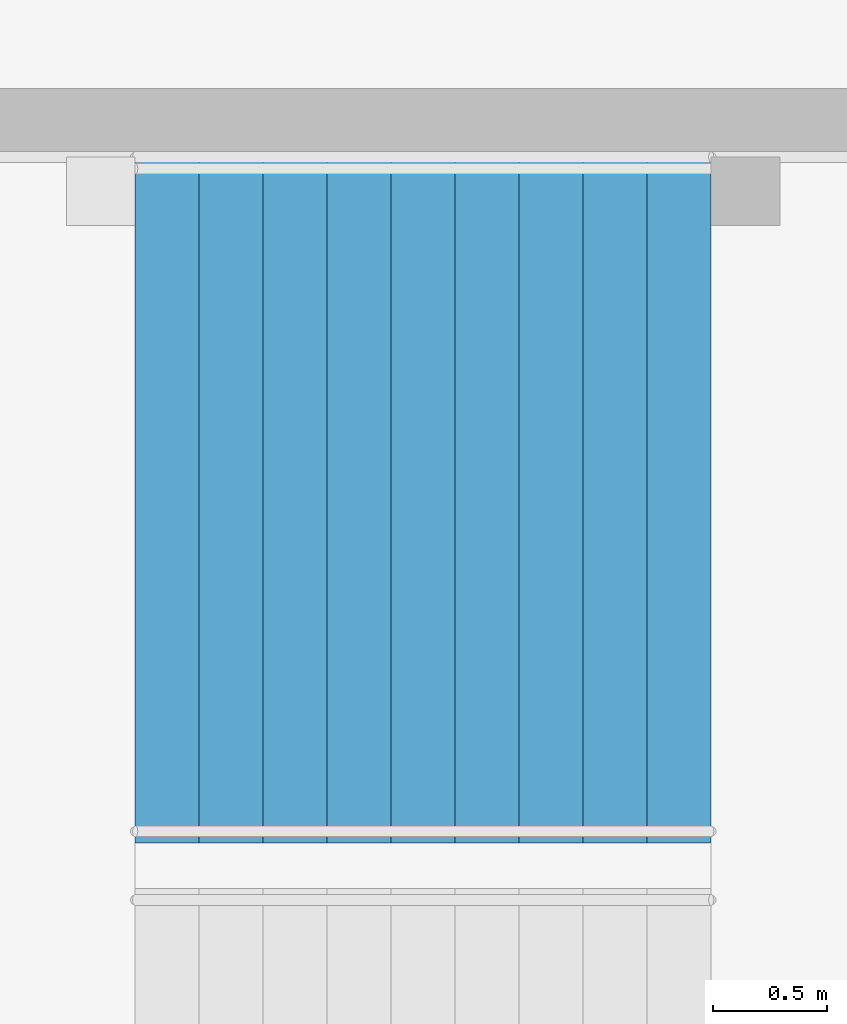
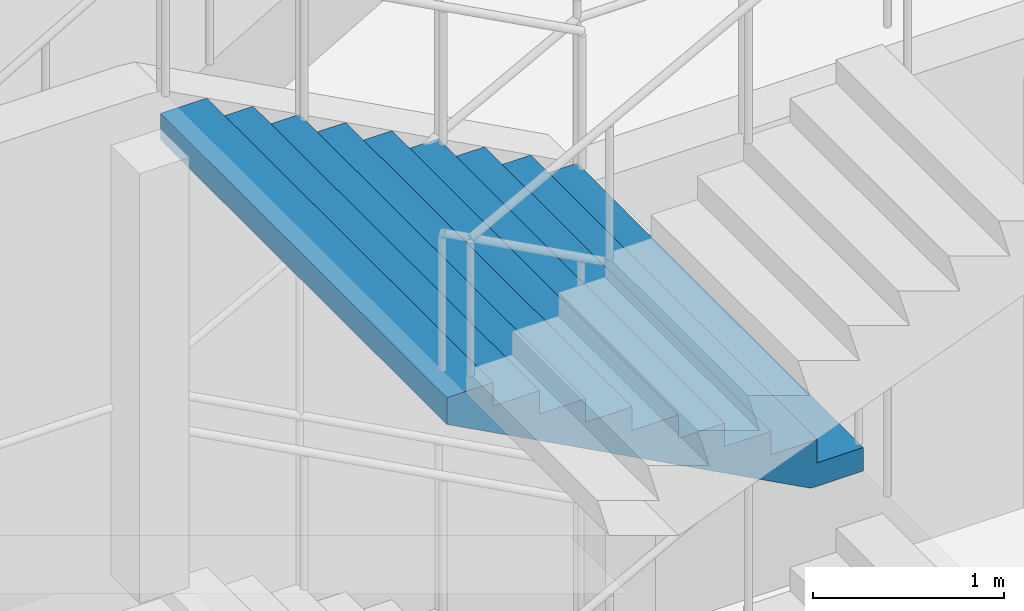
# One storey, part 83 of 100: 1 stair flight, 1 element without a shape of its own.
"""IFC4 building model written with IfcOpenShell, lengths in metres."""

from ifc_helpers import new_model, si_unit, direction, frame, origin, place, context, subcontext, project, spatial, triangles, material, type_object, element, aggregate, save


model = new_model("IFC4")

# Units and contexts
model_context = context("Model", 3, precision=1e-05, world=origin(), true_north=direction((0.0, 1.0)))
body_context = subcontext(model_context, "Body", "Model", "MODEL_VIEW")
ifc_project = project(units=[si_unit("LENGTHUNIT", "METRE"), si_unit("AREAUNIT", "SQUARE_METRE"), si_unit("VOLUMEUNIT", "CUBIC_METRE"), si_unit("PLANEANGLEUNIT", "RADIAN"), si_unit("MASSUNIT", "GRAM", prefix="KILO")], contexts=[model_context])

# Site, building, storey
site_placement = place(None, origin())
site = spatial("IfcSite", under=ifc_project, at=site_placement, CompositionType="ELEMENT")
building_placement = place(site_placement, origin())
building = spatial("IfcBuilding", under=site, at=building_placement, Name="Hakoniwa Tower and Hamabe Station Hall", CompositionType="ELEMENT")
storey_placement = place(building_placement, frame((0.0, 0.0, 9.0)))
storey = spatial("IfcBuildingStorey", under=building, at=storey_placement, Name="L02", CompositionType="ELEMENT", Elevation=9.0)

# Stair, stair flight
ifc_material_1 = material(Name="Concrete C40", Category="concrete")
stair_type = type_object("IfcStairType", Name="STAIR 3000 10X150", PredefinedType="HALF_TURN_STAIR", material=ifc_material_1)
stair_placement = place(storey_placement, origin())
stair = element("IfcStair", 1, at=stair_placement, inside=storey, type_object=stair_type, Name="Platform stair 1 L02-L03", PredefinedType="HALF_TURN_STAIR")
ifc_material_2 = material(Name="Concrete C40", Category="concrete")
stair_flight_type = type_object("IfcStairFlightType", Name="STAIR FLIGHT 3000", PredefinedType="STRAIGHT", material=ifc_material_2)
stair_flight_placement = place(storey_placement, frame((151.070068359375, -2.300048828125, 3.0), z_axis=(0.0, 0.0, 1.0), x_axis=(-1.0, 0.0, 0.0)))
stair_flight = element("IfcStairFlight", 2, at=stair_flight_placement, type_object=stair_flight_type, Name="PA1 flight 3", NumberOfRisers=10, NumberOfTreads=9, PredefinedType="STRAIGHT", RiserHeight=0.15, TreadLength=0.28, context=body_context, shape_type="Tessellation", body=[
    triangles([(0.0, 1.5, 0.0), (0.280029296875, 1.5, 0.0), (0.3173828125, 1.5, 0.0), (0.56005859375, 1.5, 0.1298828125), (0.840087890625, 1.5, 0.280029296875), (1.1201171875, 1.5, 0.429931640625), (1.39990234375, 1.5, 0.579833984375), (1.679931640625, 1.5, 0.72998046875), (1.9599609375, 1.5, 0.8798828125), (2.239990234375, 1.5, 1.030029296875), (2.52001953125, 1.5, 1.179931640625), (2.52001953125, 1.5, 1.35009765625), (2.239990234375, 1.5, 1.35009765625), (2.239990234375, 1.5, 1.199951171875), (1.9599609375, 1.5, 1.199951171875), (1.9599609375, 1.5, 1.050048828125), (1.679931640625, 1.5, 1.050048828125), (1.679931640625, 1.5, 0.89990234375), (1.39990234375, 1.5, 0.89990234375), (1.39990234375, 1.5, 0.75), (1.1201171875, 1.5, 0.75), (1.1201171875, 1.5, 0.60009765625), (0.840087890625, 1.5, 0.60009765625), (0.840087890625, 1.5, 0.449951171875), (0.56005859375, 1.5, 0.449951171875), (0.56005859375, 1.5, 0.300048828125), (0.3173828125, 1.5, 0.300048828125), (0.280029296875, 1.5, 0.300048828125), (0.280029296875, 1.5, 0.14990234375), (0.0, 1.5, 0.14990234375), (0.0, 0.06005859375, 0.0), (0.280029296875, 0.06005859375, 0.0), (0.3173828125, 0.06005859375, 0.0), (0.56005859375, 0.06005859375, 0.1298828125), (0.840087890625, 0.06005859375, 0.280029296875), (1.1201171875, 0.06005859375, 0.429931640625), (1.39990234375, 0.06005859375, 0.579833984375), (1.679931640625, 0.06005859375, 0.72998046875), (1.9599609375, 0.06005859375, 0.8798828125), (2.239990234375, 0.06005859375, 1.030029296875), (2.52001953125, 0.06005859375, 1.179931640625), (2.52001953125, 0.06005859375, 1.35009765625), (2.239990234375, 0.06005859375, 1.35009765625), (2.239990234375, 0.06005859375, 1.199951171875), (1.9599609375, 0.06005859375, 1.199951171875), (1.9599609375, 0.06005859375, 1.050048828125), (1.679931640625, 0.06005859375, 1.050048828125), (1.679931640625, 0.06005859375, 0.89990234375), (1.39990234375, 0.06005859375, 0.89990234375), (1.39990234375, 0.06005859375, 0.75), (1.1201171875, 0.06005859375, 0.75), (1.1201171875, 0.06005859375, 0.60009765625), (0.840087890625, 0.06005859375, 0.60009765625), (0.840087890625, 0.06005859375, 0.449951171875), (0.56005859375, 0.06005859375, 0.449951171875), (0.56005859375, 0.06005859375, 0.300048828125), (0.3173828125, 0.06005859375, 0.300048828125), (0.280029296875, 0.06005859375, 0.300048828125), (0.280029296875, 0.06005859375, 0.14990234375), (0.0, 0.06005859375, 0.14990234375), (0.0, 0.049072265625, 0.0), (0.280029296875, 0.049072265625, 0.0), (0.3173828125, 0.049072265625, 0.0), (0.56005859375, 0.049072265625, 0.1298828125), (0.840087890625, 0.049072265625, 0.280029296875), (1.1201171875, 0.049072265625, 0.429931640625), (1.39990234375, 0.049072265625, 0.579833984375), (1.679931640625, 0.049072265625, 0.72998046875), (1.9599609375, 0.049072265625, 0.8798828125), (2.239990234375, 0.049072265625, 1.030029296875), (2.52001953125, 0.049072265625, 1.179931640625), (2.52001953125, 0.049072265625, 1.35009765625), (2.239990234375, 0.049072265625, 1.35009765625), (2.239990234375, 0.049072265625, 1.199951171875), (1.9599609375, 0.049072265625, 1.199951171875), (1.9599609375, 0.049072265625, 1.050048828125), (1.679931640625, 0.049072265625, 1.050048828125), (1.679931640625, 0.049072265625, 0.89990234375), (1.39990234375, 0.049072265625, 0.89990234375), (1.39990234375, 0.049072265625, 0.75), (1.1201171875, 0.049072265625, 0.75), (1.1201171875, 0.049072265625, 0.60009765625), (0.840087890625, 0.049072265625, 0.60009765625), (0.840087890625, 0.049072265625, 0.449951171875), (0.56005859375, 0.049072265625, 0.449951171875), (0.56005859375, 0.049072265625, 0.300048828125), (0.3173828125, 0.049072265625, 0.300048828125), (0.280029296875, 0.049072265625, 0.300048828125), (0.280029296875, 0.049072265625, 0.14990234375), (0.0, 0.049072265625, 0.14990234375), (0.0, 0.0380859375, 0.0), (0.280029296875, 0.0380859375, 0.0), (0.3173828125, 0.0380859375, 0.0), (0.56005859375, 0.0380859375, 0.1298828125), (0.840087890625, 0.0380859375, 0.280029296875), (1.1201171875, 0.0380859375, 0.429931640625), (1.39990234375, 0.0380859375, 0.579833984375), (1.679931640625, 0.0380859375, 0.72998046875), (1.9599609375, 0.0380859375, 0.8798828125), (2.239990234375, 0.0380859375, 1.030029296875), (2.52001953125, 0.0380859375, 1.179931640625), (2.52001953125, 0.0380859375, 1.35009765625), (2.239990234375, 0.0380859375, 1.35009765625), (2.239990234375, 0.0380859375, 1.199951171875), (1.9599609375, 0.0380859375, 1.199951171875), (1.9599609375, 0.0380859375, 1.050048828125), (1.679931640625, 0.0380859375, 1.050048828125), (1.679931640625, 0.0380859375, 0.89990234375), (1.39990234375, 0.0380859375, 0.89990234375), (1.39990234375, 0.0380859375, 0.75), (1.1201171875, 0.0380859375, 0.75), (1.1201171875, 0.0380859375, 0.60009765625), (0.840087890625, 0.0380859375, 0.60009765625), (0.840087890625, 0.0380859375, 0.449951171875), (0.56005859375, 0.0380859375, 0.449951171875), (0.56005859375, 0.0380859375, 0.300048828125), (0.3173828125, 0.0380859375, 0.300048828125), (0.280029296875, 0.0380859375, 0.300048828125), (0.280029296875, 0.0380859375, 0.14990234375), (0.0, 0.0380859375, 0.14990234375), (0.0, 0.02734375, 0.0), (0.280029296875, 0.02734375, 0.0), (0.3173828125, 0.02734375, 0.0), (0.56005859375, 0.02734375, 0.1298828125), (0.840087890625, 0.02734375, 0.280029296875), (1.1201171875, 0.02734375, 0.429931640625), (1.39990234375, 0.02734375, 0.579833984375), (1.679931640625, 0.02734375, 0.72998046875), (1.9599609375, 0.02734375, 0.8798828125), (2.239990234375, 0.02734375, 1.030029296875), (2.52001953125, 0.02734375, 1.179931640625), (2.52001953125, 0.02734375, 1.35009765625), (2.239990234375, 0.02734375, 1.35009765625), (2.239990234375, 0.02734375, 1.199951171875), (1.9599609375, 0.02734375, 1.199951171875), (1.9599609375, 0.02734375, 1.050048828125), (1.679931640625, 0.02734375, 1.050048828125), (1.679931640625, 0.02734375, 0.89990234375), (1.39990234375, 0.02734375, 0.89990234375), (1.39990234375, 0.02734375, 0.75), (1.1201171875, 0.02734375, 0.75), (1.1201171875, 0.02734375, 0.60009765625), (0.840087890625, 0.02734375, 0.60009765625), (0.840087890625, 0.02734375, 0.449951171875), (0.56005859375, 0.02734375, 0.449951171875), (0.56005859375, 0.02734375, 0.300048828125), (0.3173828125, 0.02734375, 0.300048828125), (0.280029296875, 0.02734375, 0.300048828125), (0.280029296875, 0.02734375, 0.14990234375), (0.0, 0.02734375, 0.14990234375), (0.0, 0.016357421875, 0.0), (0.280029296875, 0.016357421875, 0.0), (0.3173828125, 0.016357421875, 0.0), (0.56005859375, 0.016357421875, 0.1298828125), (0.840087890625, 0.016357421875, 0.280029296875), (1.1201171875, 0.016357421875, 0.429931640625), (1.39990234375, 0.016357421875, 0.579833984375), (1.679931640625, 0.016357421875, 0.72998046875), (1.9599609375, 0.016357421875, 0.8798828125), (2.239990234375, 0.016357421875, 1.030029296875), (2.52001953125, 0.016357421875, 1.179931640625), (2.52001953125, 0.016357421875, 1.35009765625), (2.239990234375, 0.016357421875, 1.35009765625), (2.239990234375, 0.016357421875, 1.199951171875), (1.9599609375, 0.016357421875, 1.199951171875), (1.9599609375, 0.016357421875, 1.050048828125), (1.679931640625, 0.016357421875, 1.050048828125), (1.679931640625, 0.016357421875, 0.89990234375), (1.39990234375, 0.016357421875, 0.89990234375), (1.39990234375, 0.016357421875, 0.75), (1.1201171875, 0.016357421875, 0.75), (1.1201171875, 0.016357421875, 0.60009765625), (0.840087890625, 0.016357421875, 0.60009765625), (0.840087890625, 0.016357421875, 0.449951171875), (0.56005859375, 0.016357421875, 0.449951171875), (0.56005859375, 0.016357421875, 0.300048828125), (0.3173828125, 0.016357421875, 0.300048828125), (0.280029296875, 0.016357421875, 0.300048828125), (0.280029296875, 0.016357421875, 0.14990234375), (0.0, 0.016357421875, 0.14990234375), (0.0, 0.00537109375, 0.0), (0.280029296875, 0.00537109375, 0.0), (0.3173828125, 0.00537109375, 0.0), (0.56005859375, 0.00537109375, 0.1298828125), (0.840087890625, 0.00537109375, 0.280029296875), (1.1201171875, 0.00537109375, 0.429931640625), (1.39990234375, 0.00537109375, 0.579833984375), (1.679931640625, 0.00537109375, 0.72998046875), (1.9599609375, 0.00537109375, 0.8798828125), (2.239990234375, 0.00537109375, 1.030029296875), (2.52001953125, 0.00537109375, 1.179931640625), (2.52001953125, 0.00537109375, 1.35009765625), (2.239990234375, 0.00537109375, 1.35009765625), (2.239990234375, 0.00537109375, 1.199951171875), (1.9599609375, 0.00537109375, 1.199951171875), (1.9599609375, 0.00537109375, 1.050048828125), (1.679931640625, 0.00537109375, 1.050048828125), (1.679931640625, 0.00537109375, 0.89990234375), (1.39990234375, 0.00537109375, 0.89990234375), (1.39990234375, 0.00537109375, 0.75), (1.1201171875, 0.00537109375, 0.75), (1.1201171875, 0.00537109375, 0.60009765625), (0.840087890625, 0.00537109375, 0.60009765625), (0.840087890625, 0.00537109375, 0.449951171875), (0.56005859375, 0.00537109375, 0.449951171875), (0.56005859375, 0.00537109375, 0.300048828125), (0.3173828125, 0.00537109375, 0.300048828125), (0.280029296875, 0.00537109375, 0.300048828125), (0.280029296875, 0.00537109375, 0.14990234375), (0.0, 0.00537109375, 0.14990234375), (0.0, -0.00537109375, 0.0), (0.280029296875, -0.00537109375, 0.0), (0.3173828125, -0.00537109375, 0.0), (0.56005859375, -0.00537109375, 0.1298828125), (0.840087890625, -0.00537109375, 0.280029296875), (1.1201171875, -0.00537109375, 0.429931640625), (1.39990234375, -0.00537109375, 0.579833984375), (1.679931640625, -0.00537109375, 0.72998046875), (1.9599609375, -0.00537109375, 0.8798828125), (2.239990234375, -0.00537109375, 1.030029296875), (2.52001953125, -0.00537109375, 1.179931640625), (2.52001953125, -0.00537109375, 1.35009765625), (2.239990234375, -0.00537109375, 1.35009765625), (2.239990234375, -0.00537109375, 1.199951171875), (1.9599609375, -0.00537109375, 1.199951171875), (1.9599609375, -0.00537109375, 1.050048828125), (1.679931640625, -0.00537109375, 1.050048828125), (1.679931640625, -0.00537109375, 0.89990234375), (1.39990234375, -0.00537109375, 0.89990234375), (1.39990234375, -0.00537109375, 0.75), (1.1201171875, -0.00537109375, 0.75), (1.1201171875, -0.00537109375, 0.60009765625), (0.840087890625, -0.00537109375, 0.60009765625), (0.840087890625, -0.00537109375, 0.449951171875), (0.56005859375, -0.00537109375, 0.449951171875), (0.56005859375, -0.00537109375, 0.300048828125), (0.3173828125, -0.00537109375, 0.300048828125), (0.280029296875, -0.00537109375, 0.300048828125), (0.280029296875, -0.00537109375, 0.14990234375), (0.0, -0.00537109375, 0.14990234375), (0.0, -0.016357421875, 0.0), (0.280029296875, -0.016357421875, 0.0), (0.3173828125, -0.016357421875, 0.0), (0.56005859375, -0.016357421875, 0.1298828125), (0.840087890625, -0.016357421875, 0.280029296875), (1.1201171875, -0.016357421875, 0.429931640625), (1.39990234375, -0.016357421875, 0.579833984375), (1.679931640625, -0.016357421875, 0.72998046875), (1.9599609375, -0.016357421875, 0.8798828125), (2.239990234375, -0.016357421875, 1.030029296875), (2.52001953125, -0.016357421875, 1.179931640625), (2.52001953125, -0.016357421875, 1.35009765625), (2.239990234375, -0.016357421875, 1.35009765625), (2.239990234375, -0.016357421875, 1.199951171875), (1.9599609375, -0.016357421875, 1.199951171875), (1.9599609375, -0.016357421875, 1.050048828125), (1.679931640625, -0.016357421875, 1.050048828125), (1.679931640625, -0.016357421875, 0.89990234375), (1.39990234375, -0.016357421875, 0.89990234375), (1.39990234375, -0.016357421875, 0.75), (1.1201171875, -0.016357421875, 0.75), (1.1201171875, -0.016357421875, 0.60009765625), (0.840087890625, -0.016357421875, 0.60009765625), (0.840087890625, -0.016357421875, 0.449951171875), (0.56005859375, -0.016357421875, 0.449951171875), (0.56005859375, -0.016357421875, 0.300048828125), (0.3173828125, -0.016357421875, 0.300048828125), (0.280029296875, -0.016357421875, 0.300048828125), (0.280029296875, -0.016357421875, 0.14990234375), (0.0, -0.016357421875, 0.14990234375), (0.0, -0.02734375, 0.0), (0.280029296875, -0.02734375, 0.0), (0.3173828125, -0.02734375, 0.0), (0.56005859375, -0.02734375, 0.1298828125), (0.840087890625, -0.02734375, 0.280029296875), (1.1201171875, -0.02734375, 0.429931640625), (1.39990234375, -0.02734375, 0.579833984375), (1.679931640625, -0.02734375, 0.72998046875), (1.9599609375, -0.02734375, 0.8798828125), (2.239990234375, -0.02734375, 1.030029296875), (2.52001953125, -0.02734375, 1.179931640625), (2.52001953125, -0.02734375, 1.35009765625), (2.239990234375, -0.02734375, 1.35009765625), (2.239990234375, -0.02734375, 1.199951171875), (1.9599609375, -0.02734375, 1.199951171875), (1.9599609375, -0.02734375, 1.050048828125), (1.679931640625, -0.02734375, 1.050048828125), (1.679931640625, -0.02734375, 0.89990234375), (1.39990234375, -0.02734375, 0.89990234375), (1.39990234375, -0.02734375, 0.75), (1.1201171875, -0.02734375, 0.75), (1.1201171875, -0.02734375, 0.60009765625), (0.840087890625, -0.02734375, 0.60009765625), (0.840087890625, -0.02734375, 0.449951171875), (0.56005859375, -0.02734375, 0.449951171875), (0.56005859375, -0.02734375, 0.300048828125), (0.3173828125, -0.02734375, 0.300048828125), (0.280029296875, -0.02734375, 0.300048828125), (0.280029296875, -0.02734375, 0.14990234375), (0.0, -0.02734375, 0.14990234375), (0.0, -0.0380859375, 0.0), (0.280029296875, -0.0380859375, 0.0), (0.3173828125, -0.0380859375, 0.0), (0.56005859375, -0.0380859375, 0.1298828125), (0.840087890625, -0.0380859375, 0.280029296875), (1.1201171875, -0.0380859375, 0.429931640625), (1.39990234375, -0.0380859375, 0.579833984375), (1.679931640625, -0.0380859375, 0.72998046875), (1.9599609375, -0.0380859375, 0.8798828125), (2.239990234375, -0.0380859375, 1.030029296875), (2.52001953125, -0.0380859375, 1.179931640625), (2.52001953125, -0.0380859375, 1.35009765625), (2.239990234375, -0.0380859375, 1.35009765625), (2.239990234375, -0.0380859375, 1.199951171875), (1.9599609375, -0.0380859375, 1.199951171875), (1.9599609375, -0.0380859375, 1.050048828125), (1.679931640625, -0.0380859375, 1.050048828125), (1.679931640625, -0.0380859375, 0.89990234375), (1.39990234375, -0.0380859375, 0.89990234375), (1.39990234375, -0.0380859375, 0.75), (1.1201171875, -0.0380859375, 0.75), (1.1201171875, -0.0380859375, 0.60009765625), (0.840087890625, -0.0380859375, 0.60009765625), (0.840087890625, -0.0380859375, 0.449951171875), (0.56005859375, -0.0380859375, 0.449951171875), (0.56005859375, -0.0380859375, 0.300048828125), (0.3173828125, -0.0380859375, 0.300048828125), (0.280029296875, -0.0380859375, 0.300048828125), (0.280029296875, -0.0380859375, 0.14990234375), (0.0, -0.0380859375, 0.14990234375), (0.0, -0.049072265625, 0.0), (0.280029296875, -0.049072265625, 0.0), (0.3173828125, -0.049072265625, 0.0), (0.56005859375, -0.049072265625, 0.1298828125), (0.840087890625, -0.049072265625, 0.280029296875), (1.1201171875, -0.049072265625, 0.429931640625), (1.39990234375, -0.049072265625, 0.579833984375), (1.679931640625, -0.049072265625, 0.72998046875), (1.9599609375, -0.049072265625, 0.8798828125), (2.239990234375, -0.049072265625, 1.030029296875), (2.52001953125, -0.049072265625, 1.179931640625), (2.52001953125, -0.049072265625, 1.35009765625), (2.239990234375, -0.049072265625, 1.35009765625), (2.239990234375, -0.049072265625, 1.199951171875), (1.9599609375, -0.049072265625, 1.199951171875), (1.9599609375, -0.049072265625, 1.050048828125), (1.679931640625, -0.049072265625, 1.050048828125), (1.679931640625, -0.049072265625, 0.89990234375), (1.39990234375, -0.049072265625, 0.89990234375), (1.39990234375, -0.049072265625, 0.75), (1.1201171875, -0.049072265625, 0.75), (1.1201171875, -0.049072265625, 0.60009765625), (0.840087890625, -0.049072265625, 0.60009765625), (0.840087890625, -0.049072265625, 0.449951171875), (0.56005859375, -0.049072265625, 0.449951171875), (0.56005859375, -0.049072265625, 0.300048828125), (0.3173828125, -0.049072265625, 0.300048828125), (0.280029296875, -0.049072265625, 0.300048828125), (0.280029296875, -0.049072265625, 0.14990234375), (0.0, -0.049072265625, 0.14990234375), (0.0, -0.06005859375, 0.0), (0.280029296875, -0.06005859375, 0.0), (0.3173828125, -0.06005859375, 0.0), (0.56005859375, -0.06005859375, 0.1298828125), (0.840087890625, -0.06005859375, 0.280029296875), (1.1201171875, -0.06005859375, 0.429931640625), (1.39990234375, -0.06005859375, 0.579833984375), (1.679931640625, -0.06005859375, 0.72998046875), (1.9599609375, -0.06005859375, 0.8798828125), (2.239990234375, -0.06005859375, 1.030029296875), (2.52001953125, -0.06005859375, 1.179931640625), (2.52001953125, -0.06005859375, 1.35009765625), (2.239990234375, -0.06005859375, 1.35009765625), (2.239990234375, -0.06005859375, 1.199951171875), (1.9599609375, -0.06005859375, 1.199951171875), (1.9599609375, -0.06005859375, 1.050048828125), (1.679931640625, -0.06005859375, 1.050048828125), (1.679931640625, -0.06005859375, 0.89990234375), (1.39990234375, -0.06005859375, 0.89990234375), (1.39990234375, -0.06005859375, 0.75), (1.1201171875, -0.06005859375, 0.75), (1.1201171875, -0.06005859375, 0.60009765625), (0.840087890625, -0.06005859375, 0.60009765625), (0.840087890625, -0.06005859375, 0.449951171875), (0.56005859375, -0.06005859375, 0.449951171875), (0.56005859375, -0.06005859375, 0.300048828125), (0.3173828125, -0.06005859375, 0.300048828125), (0.280029296875, -0.06005859375, 0.300048828125), (0.280029296875, -0.06005859375, 0.14990234375), (0.0, -0.06005859375, 0.14990234375), (0.0, -1.5, 0.0), (0.280029296875, -1.5, 0.0), (0.3173828125, -1.5, 0.0), (0.56005859375, -1.5, 0.1298828125), (0.840087890625, -1.5, 0.280029296875), (1.1201171875, -1.5, 0.429931640625), (1.39990234375, -1.5, 0.579833984375), (1.679931640625, -1.5, 0.72998046875), (1.9599609375, -1.5, 0.8798828125), (2.239990234375, -1.5, 1.030029296875), (2.52001953125, -1.5, 1.179931640625), (2.52001953125, -1.5, 1.35009765625), (2.239990234375, -1.5, 1.35009765625), (2.239990234375, -1.5, 1.199951171875), (1.9599609375, -1.5, 1.199951171875), (1.9599609375, -1.5, 1.050048828125), (1.679931640625, -1.5, 1.050048828125), (1.679931640625, -1.5, 0.89990234375), (1.39990234375, -1.5, 0.89990234375), (1.39990234375, -1.5, 0.75), (1.1201171875, -1.5, 0.75), (1.1201171875, -1.5, 0.60009765625), (0.840087890625, -1.5, 0.60009765625), (0.840087890625, -1.5, 0.449951171875), (0.56005859375, -1.5, 0.449951171875), (0.56005859375, -1.5, 0.300048828125), (0.3173828125, -1.5, 0.300048828125), (0.280029296875, -1.5, 0.300048828125), (0.280029296875, -1.5, 0.14990234375), (0.0, -1.5, 0.14990234375)], [[2, 30, 29], [392, 419, 420], [2, 1, 30], [392, 420, 391], [3, 28, 27], [393, 417, 418], [3, 29, 28], [393, 418, 419], [3, 2, 29], [393, 419, 392], [4, 27, 26], [394, 416, 417], [4, 3, 27], [394, 417, 393], [5, 25, 24], [395, 414, 415], [5, 26, 25], [395, 415, 416], [5, 4, 26], [395, 416, 394], [6, 23, 22], [396, 412, 413], [6, 24, 23], [396, 413, 414], [6, 5, 24], [396, 414, 395], [7, 21, 20], [397, 410, 411], [7, 22, 21], [397, 411, 412], [7, 6, 22], [397, 412, 396], [8, 19, 18], [398, 408, 409], [8, 20, 19], [398, 409, 410], [8, 7, 20], [398, 410, 397], [9, 17, 16], [399, 406, 407], [9, 18, 17], [399, 407, 408], [9, 8, 18], [399, 408, 398], [10, 15, 14], [400, 404, 405], [10, 16, 15], [400, 405, 406], [10, 9, 16], [400, 406, 399], [11, 13, 12], [401, 402, 403], [11, 14, 13], [401, 403, 404], [11, 10, 14], [401, 404, 400], [1, 2, 32], [1, 32, 31], [31, 32, 62], [31, 62, 61], [61, 62, 92], [61, 92, 91], [91, 92, 122], [91, 122, 121], [121, 122, 152], [121, 152, 151], [151, 152, 182], [151, 182, 181], [181, 182, 212], [181, 212, 211], [211, 212, 242], [211, 242, 241], [241, 242, 272], [241, 272, 271], [271, 272, 302], [271, 302, 301], [301, 302, 332], [301, 332, 331], [331, 332, 362], [331, 362, 361], [361, 362, 392], [361, 392, 391], [2, 3, 33], [2, 33, 32], [32, 33, 63], [32, 63, 62], [62, 63, 93], [62, 93, 92], [92, 93, 123], [92, 123, 122], [122, 123, 153], [122, 153, 152], [152, 153, 183], [152, 183, 182], [182, 183, 213], [182, 213, 212], [212, 213, 243], [212, 243, 242], [242, 243, 273], [242, 273, 272], [272, 273, 303], [272, 303, 302], [302, 303, 333], [302, 333, 332], [332, 333, 363], [332, 363, 362], [362, 363, 393], [362, 393, 392], [3, 4, 34], [3, 34, 33], [33, 34, 64], [33, 64, 63], [63, 64, 94], [63, 94, 93], [93, 94, 124], [93, 124, 123], [123, 124, 154], [123, 154, 153], [153, 154, 184], [153, 184, 183], [183, 184, 214], [183, 214, 213], [213, 214, 244], [213, 244, 243], [243, 244, 274], [243, 274, 273], [273, 274, 304], [273, 304, 303], [303, 304, 334], [303, 334, 333], [333, 334, 364], [333, 364, 363], [363, 364, 394], [363, 394, 393], [4, 5, 35], [4, 35, 34], [34, 35, 65], [34, 65, 64], [64, 65, 95], [64, 95, 94], [94, 95, 125], [94, 125, 124], [124, 125, 155], [124, 155, 154], [154, 155, 185], [154, 185, 184], [184, 185, 215], [184, 215, 214], [214, 215, 245], [214, 245, 244], [244, 245, 275], [244, 275, 274], [274, 275, 305], [274, 305, 304], [304, 305, 335], [304, 335, 334], [334, 335, 365], [334, 365, 364], [364, 365, 395], [364, 395, 394], [5, 6, 36], [5, 36, 35], [35, 36, 66], [35, 66, 65], [65, 66, 96], [65, 96, 95], [95, 96, 126], [95, 126, 125], [125, 126, 156], [125, 156, 155], [155, 156, 186], [155, 186, 185], [185, 186, 216], [185, 216, 215], [215, 216, 246], [215, 246, 245], [245, 246, 276], [245, 276, 275], [275, 276, 306], [275, 306, 305], [305, 306, 336], [305, 336, 335], [335, 336, 366], [335, 366, 365], [365, 366, 396], [365, 396, 395], [6, 7, 37], [6, 37, 36], [36, 37, 67], [36, 67, 66], [66, 67, 97], [66, 97, 96], [96, 97, 127], [96, 127, 126], [126, 127, 157], [126, 157, 156], [156, 157, 187], [156, 187, 186], [186, 187, 217], [186, 217, 216], [216, 217, 247], [216, 247, 246], [246, 247, 277], [246, 277, 276], [276, 277, 307], [276, 307, 306], [306, 307, 337], [306, 337, 336], [336, 337, 367], [336, 367, 366], [366, 367, 397], [366, 397, 396], [7, 8, 38], [7, 38, 37], [37, 38, 68], [37, 68, 67], [67, 68, 98], [67, 98, 97], [97, 98, 128], [97, 128, 127], [127, 128, 158], [127, 158, 157], [157, 158, 188], [157, 188, 187], [187, 188, 218], [187, 218, 217], [217, 218, 248], [217, 248, 247], [247, 248, 278], [247, 278, 277], [277, 278, 308], [277, 308, 307], [307, 308, 338], [307, 338, 337], [337, 338, 368], [337, 368, 367], [367, 368, 398], [367, 398, 397], [8, 9, 39], [8, 39, 38], [38, 39, 69], [38, 69, 68], [68, 69, 99], [68, 99, 98], [98, 99, 129], [98, 129, 128], [128, 129, 159], [128, 159, 158], [158, 159, 189], [158, 189, 188], [188, 189, 219], [188, 219, 218], [218, 219, 249], [218, 249, 248], [248, 249, 279], [248, 279, 278], [278, 279, 309], [278, 309, 308], [308, 309, 339], [308, 339, 338], [338, 339, 369], [338, 369, 368], [368, 369, 399], [368, 399, 398], [9, 10, 40], [9, 40, 39], [39, 40, 70], [39, 70, 69], [69, 70, 100], [69, 100, 99], [99, 100, 130], [99, 130, 129], [129, 130, 160], [129, 160, 159], [159, 160, 190], [159, 190, 189], [189, 190, 220], [189, 220, 219], [219, 220, 250], [219, 250, 249], [249, 250, 280], [249, 280, 279], [279, 280, 310], [279, 310, 309], [309, 310, 340], [309, 340, 339], [339, 340, 370], [339, 370, 369], [369, 370, 400], [369, 400, 399], [10, 11, 41], [10, 41, 40], [40, 41, 71], [40, 71, 70], [70, 71, 101], [70, 101, 100], [100, 101, 131], [100, 131, 130], [130, 131, 161], [130, 161, 160], [160, 161, 191], [160, 191, 190], [190, 191, 221], [190, 221, 220], [220, 221, 251], [220, 251, 250], [250, 251, 281], [250, 281, 280], [280, 281, 311], [280, 311, 310], [310, 311, 341], [310, 341, 340], [340, 341, 371], [340, 371, 370], [370, 371, 401], [370, 401, 400], [11, 12, 42], [11, 42, 41], [41, 42, 72], [41, 72, 71], [71, 72, 102], [71, 102, 101], [101, 102, 132], [101, 132, 131], [131, 132, 162], [131, 162, 161], [161, 162, 192], [161, 192, 191], [191, 192, 222], [191, 222, 221], [221, 222, 252], [221, 252, 251], [251, 252, 282], [251, 282, 281], [281, 282, 312], [281, 312, 311], [311, 312, 342], [311, 342, 341], [341, 342, 372], [341, 372, 371], [371, 372, 402], [371, 402, 401], [12, 13, 43], [12, 43, 42], [42, 43, 73], [42, 73, 72], [72, 73, 103], [72, 103, 102], [102, 103, 133], [102, 133, 132], [132, 133, 163], [132, 163, 162], [162, 163, 193], [162, 193, 192], [192, 193, 223], [192, 223, 222], [222, 223, 253], [222, 253, 252], [252, 253, 283], [252, 283, 282], [282, 283, 313], [282, 313, 312], [312, 313, 343], [312, 343, 342], [342, 343, 373], [342, 373, 372], [372, 373, 403], [372, 403, 402], [13, 14, 44], [13, 44, 43], [43, 44, 74], [43, 74, 73], [73, 74, 104], [73, 104, 103], [103, 104, 134], [103, 134, 133], [133, 134, 164], [133, 164, 163], [163, 164, 194], [163, 194, 193], [193, 194, 224], [193, 224, 223], [223, 224, 254], [223, 254, 253], [253, 254, 284], [253, 284, 283], [283, 284, 314], [283, 314, 313], [313, 314, 344], [313, 344, 343], [343, 344, 374], [343, 374, 373], [373, 374, 404], [373, 404, 403], [14, 15, 45], [14, 45, 44], [44, 45, 75], [44, 75, 74], [74, 75, 105], [74, 105, 104], [104, 105, 135], [104, 135, 134], [134, 135, 165], [134, 165, 164], [164, 165, 195], [164, 195, 194], [194, 195, 225], [194, 225, 224], [224, 225, 255], [224, 255, 254], [254, 255, 285], [254, 285, 284], [284, 285, 315], [284, 315, 314], [314, 315, 345], [314, 345, 344], [344, 345, 375], [344, 375, 374], [374, 375, 405], [374, 405, 404], [15, 16, 46], [15, 46, 45], [45, 46, 76], [45, 76, 75], [75, 76, 106], [75, 106, 105], [105, 106, 136], [105, 136, 135], [135, 136, 166], [135, 166, 165], [165, 166, 196], [165, 196, 195], [195, 196, 226], [195, 226, 225], [225, 226, 256], [225, 256, 255], [255, 256, 286], [255, 286, 285], [285, 286, 316], [285, 316, 315], [315, 316, 346], [315, 346, 345], [345, 346, 376], [345, 376, 375], [375, 376, 406], [375, 406, 405], [16, 17, 47], [16, 47, 46], [46, 47, 77], [46, 77, 76], [76, 77, 107], [76, 107, 106], [106, 107, 137], [106, 137, 136], [136, 137, 167], [136, 167, 166], [166, 167, 197], [166, 197, 196], [196, 197, 227], [196, 227, 226], [226, 227, 257], [226, 257, 256], [256, 257, 287], [256, 287, 286], [286, 287, 317], [286, 317, 316], [316, 317, 347], [316, 347, 346], [346, 347, 377], [346, 377, 376], [376, 377, 407], [376, 407, 406], [17, 18, 48], [17, 48, 47], [47, 48, 78], [47, 78, 77], [77, 78, 108], [77, 108, 107], [107, 108, 138], [107, 138, 137], [137, 138, 168], [137, 168, 167], [167, 168, 198], [167, 198, 197], [197, 198, 228], [197, 228, 227], [227, 228, 258], [227, 258, 257], [257, 258, 288], [257, 288, 287], [287, 288, 318], [287, 318, 317], [317, 318, 348], [317, 348, 347], [347, 348, 378], [347, 378, 377], [377, 378, 408], [377, 408, 407], [18, 19, 49], [18, 49, 48], [48, 49, 79], [48, 79, 78], [78, 79, 109], [78, 109, 108], [108, 109, 139], [108, 139, 138], [138, 139, 169], [138, 169, 168], [168, 169, 199], [168, 199, 198], [198, 199, 229], [198, 229, 228], [228, 229, 259], [228, 259, 258], [258, 259, 289], [258, 289, 288], [288, 289, 319], [288, 319, 318], [318, 319, 349], [318, 349, 348], [348, 349, 379], [348, 379, 378], [378, 379, 409], [378, 409, 408], [19, 20, 50], [19, 50, 49], [49, 50, 80], [49, 80, 79], [79, 80, 110], [79, 110, 109], [109, 110, 140], [109, 140, 139], [139, 140, 170], [139, 170, 169], [169, 170, 200], [169, 200, 199], [199, 200, 230], [199, 230, 229], [229, 230, 260], [229, 260, 259], [259, 260, 290], [259, 290, 289], [289, 290, 320], [289, 320, 319], [319, 320, 350], [319, 350, 349], [349, 350, 380], [349, 380, 379], [379, 380, 410], [379, 410, 409], [20, 21, 51], [20, 51, 50], [50, 51, 81], [50, 81, 80], [80, 81, 111], [80, 111, 110], [110, 111, 141], [110, 141, 140], [140, 141, 171], [140, 171, 170], [170, 171, 201], [170, 201, 200], [200, 201, 231], [200, 231, 230], [230, 231, 261], [230, 261, 260], [260, 261, 291], [260, 291, 290], [290, 291, 321], [290, 321, 320], [320, 321, 351], [320, 351, 350], [350, 351, 381], [350, 381, 380], [380, 381, 411], [380, 411, 410], [21, 22, 52], [21, 52, 51], [51, 52, 82], [51, 82, 81], [81, 82, 112], [81, 112, 111], [111, 112, 142], [111, 142, 141], [141, 142, 172], [141, 172, 171], [171, 172, 202], [171, 202, 201], [201, 202, 232], [201, 232, 231], [231, 232, 262], [231, 262, 261], [261, 262, 292], [261, 292, 291], [291, 292, 322], [291, 322, 321], [321, 322, 352], [321, 352, 351], [351, 352, 382], [351, 382, 381], [381, 382, 412], [381, 412, 411], [22, 23, 53], [22, 53, 52], [52, 53, 83], [52, 83, 82], [82, 83, 113], [82, 113, 112], [112, 113, 143], [112, 143, 142], [142, 143, 173], [142, 173, 172], [172, 173, 203], [172, 203, 202], [202, 203, 233], [202, 233, 232], [232, 233, 263], [232, 263, 262], [262, 263, 293], [262, 293, 292], [292, 293, 323], [292, 323, 322], [322, 323, 353], [322, 353, 352], [352, 353, 383], [352, 383, 382], [382, 383, 413], [382, 413, 412], [23, 24, 54], [23, 54, 53], [53, 54, 84], [53, 84, 83], [83, 84, 114], [83, 114, 113], [113, 114, 144], [113, 144, 143], [143, 144, 174], [143, 174, 173], [173, 174, 204], [173, 204, 203], [203, 204, 234], [203, 234, 233], [233, 234, 264], [233, 264, 263], [263, 264, 294], [263, 294, 293], [293, 294, 324], [293, 324, 323], [323, 324, 354], [323, 354, 353], [353, 354, 384], [353, 384, 383], [383, 384, 414], [383, 414, 413], [24, 25, 55], [24, 55, 54], [54, 55, 85], [54, 85, 84], [84, 85, 115], [84, 115, 114], [114, 115, 145], [114, 145, 144], [144, 145, 175], [144, 175, 174], [174, 175, 205], [174, 205, 204], [204, 205, 235], [204, 235, 234], [234, 235, 265], [234, 265, 264], [264, 265, 295], [264, 295, 294], [294, 295, 325], [294, 325, 324], [324, 325, 355], [324, 355, 354], [354, 355, 385], [354, 385, 384], [384, 385, 415], [384, 415, 414], [25, 26, 56], [25, 56, 55], [55, 56, 86], [55, 86, 85], [85, 86, 116], [85, 116, 115], [115, 116, 146], [115, 146, 145], [145, 146, 176], [145, 176, 175], [175, 176, 206], [175, 206, 205], [205, 206, 236], [205, 236, 235], [235, 236, 266], [235, 266, 265], [265, 266, 296], [265, 296, 295], [295, 296, 326], [295, 326, 325], [325, 326, 356], [325, 356, 355], [355, 356, 386], [355, 386, 385], [385, 386, 416], [385, 416, 415], [26, 27, 57], [26, 57, 56], [56, 57, 87], [56, 87, 86], [86, 87, 117], [86, 117, 116], [116, 117, 147], [116, 147, 146], [146, 147, 177], [146, 177, 176], [176, 177, 207], [176, 207, 206], [206, 207, 237], [206, 237, 236], [236, 237, 267], [236, 267, 266], [266, 267, 297], [266, 297, 296], [296, 297, 327], [296, 327, 326], [326, 327, 357], [326, 357, 356], [356, 357, 387], [356, 387, 386], [386, 387, 417], [386, 417, 416], [27, 28, 58], [27, 58, 57], [57, 58, 88], [57, 88, 87], [87, 88, 118], [87, 118, 117], [117, 118, 148], [117, 148, 147], [147, 148, 178], [147, 178, 177], [177, 178, 208], [177, 208, 207], [207, 208, 238], [207, 238, 237], [237, 238, 268], [237, 268, 267], [267, 268, 298], [267, 298, 297], [297, 298, 328], [297, 328, 327], [327, 328, 358], [327, 358, 357], [357, 358, 388], [357, 388, 387], [387, 388, 418], [387, 418, 417], [28, 29, 59], [28, 59, 58], [58, 59, 89], [58, 89, 88], [88, 89, 119], [88, 119, 118], [118, 119, 149], [118, 149, 148], [148, 149, 179], [148, 179, 178], [178, 179, 209], [178, 209, 208], [208, 209, 239], [208, 239, 238], [238, 239, 269], [238, 269, 268], [268, 269, 299], [268, 299, 298], [298, 299, 329], [298, 329, 328], [328, 329, 359], [328, 359, 358], [358, 359, 389], [358, 389, 388], [388, 389, 419], [388, 419, 418], [29, 30, 60], [29, 60, 59], [59, 60, 90], [59, 90, 89], [89, 90, 120], [89, 120, 119], [119, 120, 150], [119, 150, 149], [149, 150, 180], [149, 180, 179], [179, 180, 210], [179, 210, 209], [209, 210, 240], [209, 240, 239], [239, 240, 270], [239, 270, 269], [269, 270, 300], [269, 300, 299], [299, 300, 330], [299, 330, 329], [329, 330, 360], [329, 360, 359], [359, 360, 390], [359, 390, 389], [389, 390, 420], [389, 420, 419], [30, 1, 31], [30, 31, 60], [60, 31, 61], [60, 61, 90], [90, 61, 91], [90, 91, 120], [120, 91, 121], [120, 121, 150], [150, 121, 151], [150, 151, 180], [180, 151, 181], [180, 181, 210], [210, 181, 211], [210, 211, 240], [240, 211, 241], [240, 241, 270], [270, 241, 271], [270, 271, 300], [300, 271, 301], [300, 301, 330], [330, 301, 331], [330, 331, 360], [360, 331, 361], [360, 361, 390], [390, 361, 391], [390, 391, 420]], closed=True),
])
aggregate(stair, [stair_flight])

save(model, "model.ifc")
